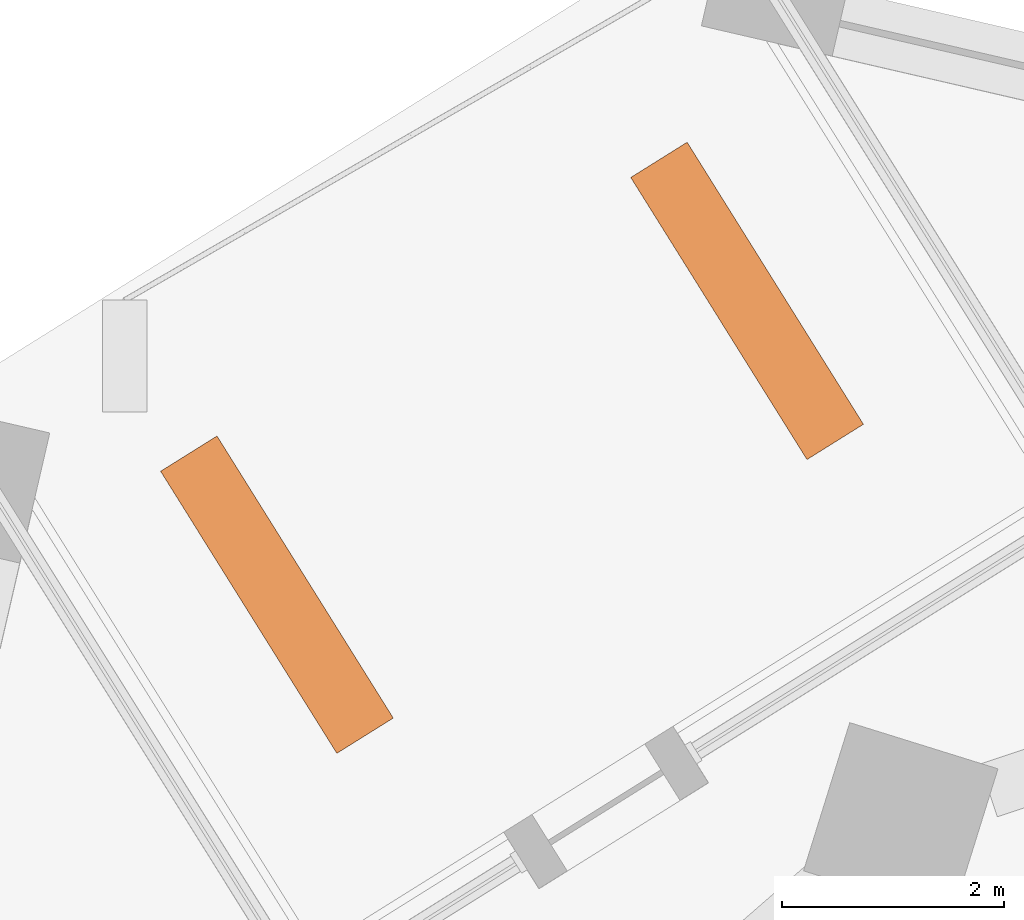
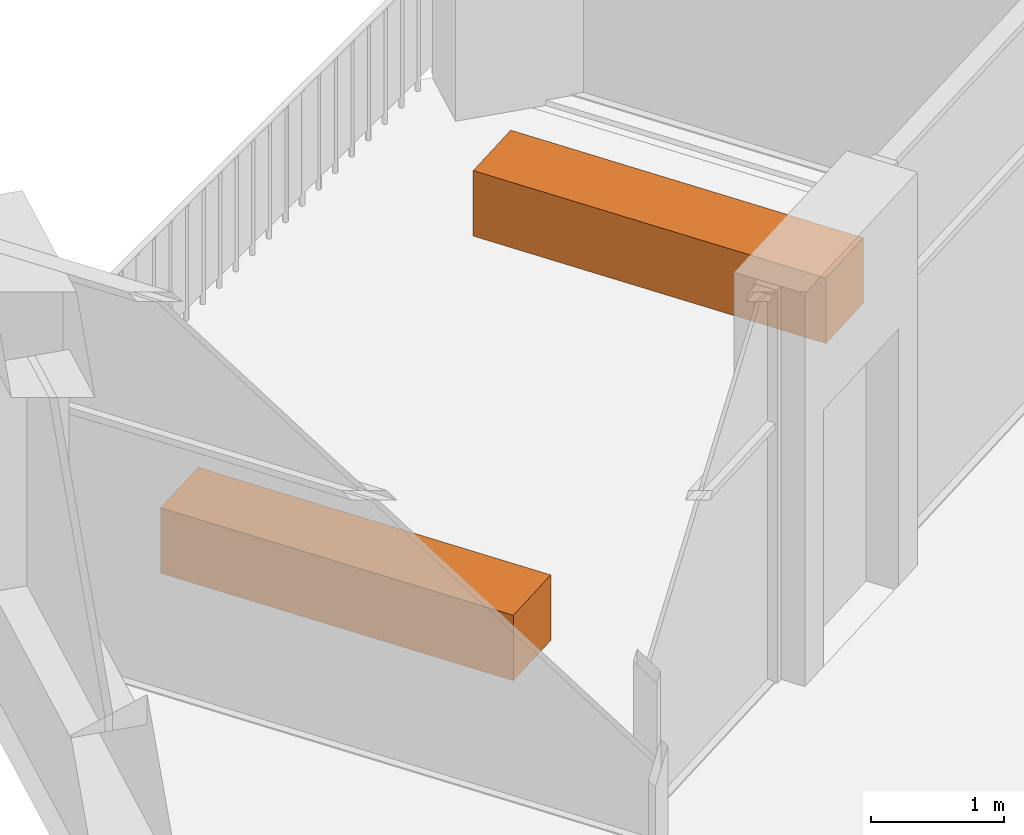
# One storey, part 14 of 14: 2 proxies.
"""IFC4 building model written with IfcOpenShell, lengths in metres."""

from ifc_helpers import new_model, si_unit, direction, frame, origin, origin_2d, place, context, subcontext, project, spatial, rectangle, extrude, element, save


model = new_model("IFC4")

# Units and contexts
model_context = context("Model", 3, precision=1e-05, world=origin(), true_north=direction((0.0, 1.0)))
body_context = subcontext(model_context, "Body", "Model", "MODEL_VIEW")
ifc_project = project(units=[si_unit("LENGTHUNIT", "METRE"), si_unit("AREAUNIT", "SQUARE_METRE"), si_unit("VOLUMEUNIT", "CUBIC_METRE"), si_unit("PLANEANGLEUNIT", "RADIAN"), si_unit("MASSUNIT", "GRAM", prefix="KILO")], contexts=[model_context])

# Site, building, storey
site_placement = place(None, origin())
site = spatial("IfcSite", under=ifc_project, at=site_placement, CompositionType="ELEMENT")
building_placement = place(site_placement, origin())
building = spatial("IfcBuilding", under=site, at=building_placement, Name="Dilmun Exchange Tower", CompositionType="ELEMENT")
storey_placement = place(building_placement, frame((0.0, 0.0, 332.5)))
storey = spatial("IfcBuildingStorey", under=building, at=storey_placement, Name="L79", CompositionType="ELEMENT", Elevation=332.5)

# Proxies
for number, where, z_axis, x_axis, name in (
    (1, (-13.923095703125, 31.002197265625, 0.0), (0.0, 0.0, 1.0), (-0.529919264233, 0.848048096156, 0.0), "PLANTER Desert shrub L79.1"),
    (2, (-18.163330078125, 28.352783203125, 0.0), (0.0, 0.0, 1.0), (-0.529919264233, 0.848048096156, 0.0), "PLANTER Desert shrub L79.2"),
):
    element("IfcBuildingElementProxy", number, at=place(storey_placement, frame(where, z_axis=z_axis, x_axis=x_axis)), inside=storey, Name=name, ObjectType="PLANTER", PredefinedType="USERDEFINED", context=body_context, shape_type="SweptSolid", body=[
        extrude(rectangle(XDim=3.0, YDim=0.60009765625, at=origin_2d()), origin(), (0.0, 0.0, 1.0), 0.60009765625),
    ])

save(model, "model.ifc")
